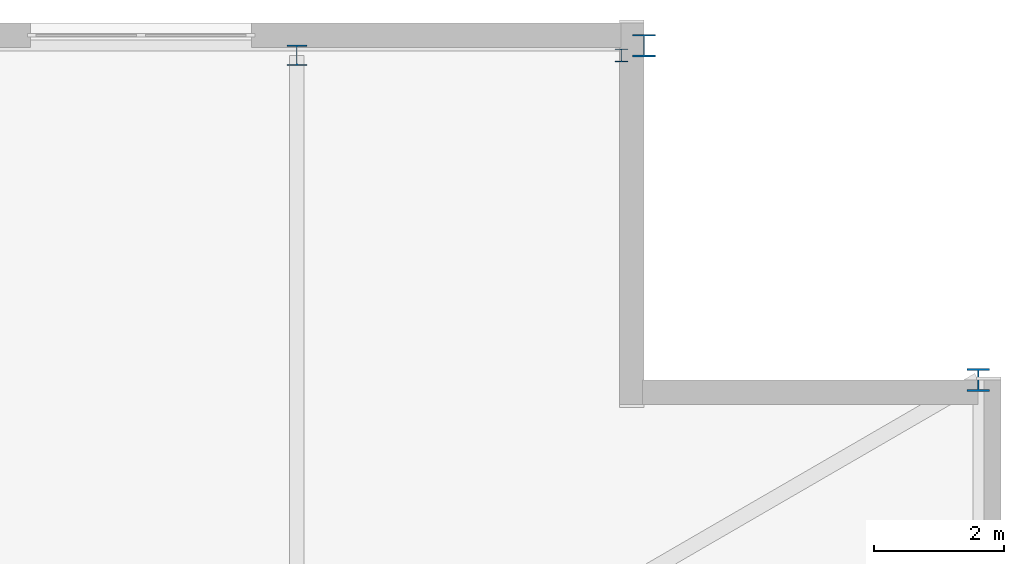
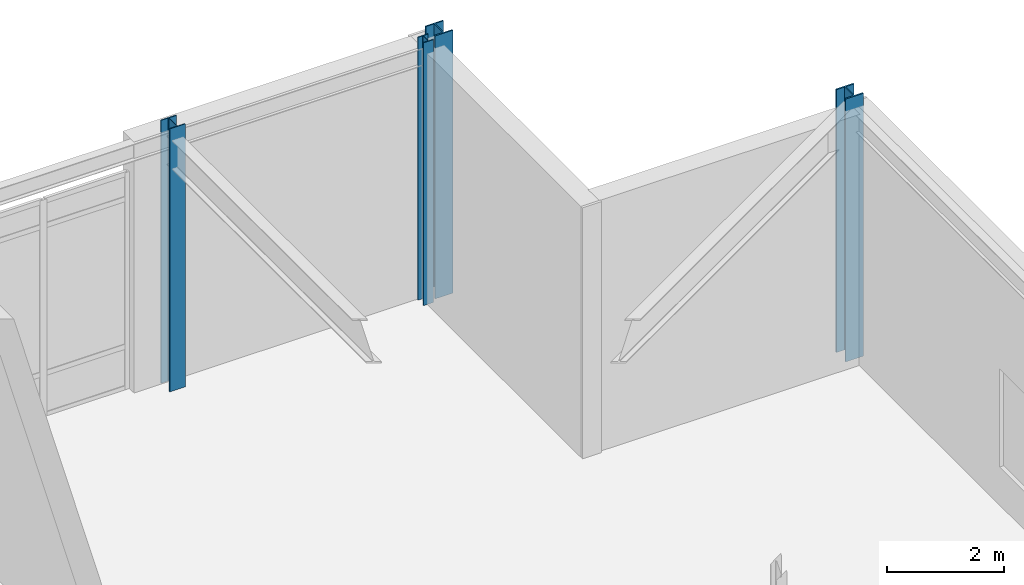
# One storey, part 6 of 16: 4 columns.
"""IFC4 building model written with IfcOpenShell, lengths in metres."""

import ifcopenshell
import ifcopenshell.guid

model = None  # the IFC model being written
_history = None  # IfcOwnerHistory: only IFC2X3 demands one
_inside = {}  # id of a spatial element -> (the spatial element, [elements in it])
_under = {}  # id of a project, library or spatial element -> (it, [spatial elements below it])
_declared = {}  # id of a project -> (the project, [libraries it declares])
_typed = {}  # id of a type object -> (the type object, [elements of that type])
_made_of = {}  # id of a material, layer set ... -> (it, [elements and type objects made of it])


def new_model(schema):
    """Start an empty IFC model of exactly this schema.

    Asked for "IFC4X3", IfcOpenShell would pick the latest addendum, in which some entities
    have other attributes; the version numbers below select the first issue.
    IFC2X3 requires an IfcOwnerHistory on every rooted entity: one is made here for all.
    """
    global model, _history
    if schema == "IFC4X3":
        model = ifcopenshell.file(schema_version=(4, 3, 0, 0))
    else:
        model = ifcopenshell.file(schema=schema)
    _inside.clear()
    _under.clear()
    _declared.clear()
    _typed.clear()
    _made_of.clear()
    _history = None
    if model.schema == "IFC2X3":
        org = make("IfcOrganization", Name="unknown")
        user = make(
            "IfcPersonAndOrganization",
            ThePerson=make("IfcPerson", FamilyName="unknown"),
            TheOrganization=org,
        )
        app = make(
            "IfcApplication",
            ApplicationDeveloper=org,
            Version="unknown",
            ApplicationFullName="unknown",
            ApplicationIdentifier="unknown",
        )
        _history = make(
            "IfcOwnerHistory",
            OwningUser=user,
            OwningApplication=app,
            ChangeAction="ADDED",
            CreationDate=0,
        )
    return model


def make(cls, **values):
    """One entity of the class cls with the attributes given. An attribute that is None is left unset."""
    return model.create_entity(
        cls, **{name: value for name, value in values.items() if value is not None}
    )


def rooted(cls, **values):
    """An entity with a GlobalId (a new one), such as an element, a storey or a relation."""
    return make(cls, GlobalId=ifcopenshell.guid.new(), OwnerHistory=_history, **values)


def si_unit(unit_type, name, prefix=None):
    """IfcSIUnit, for example si_unit("LENGTHUNIT", "METRE", prefix="MILLI")."""
    return make("IfcSIUnit", UnitType=unit_type, Prefix=prefix, Name=name)


def assignment(units):
    """IfcUnitAssignment: the units of a project."""
    return None if units is None else make("IfcUnitAssignment", Units=units)


def point(xyz):
    """IfcCartesianPoint."""
    return None if xyz is None else make("IfcCartesianPoint", Coordinates=xyz)


def direction(xyz):
    """IfcDirection."""
    return None if xyz is None else make("IfcDirection", DirectionRatios=xyz)


def frame(location, z_axis=None, x_axis=None):
    """IfcAxis2Placement3D, a coordinate frame: its origin and axes. An axis left out is left unset."""
    return make(
        "IfcAxis2Placement3D",
        Location=point(location),
        Axis=direction(z_axis),
        RefDirection=direction(x_axis),
    )


def frame_2d(location, x_axis=None):
    """IfcAxis2Placement2D, a coordinate frame in the plane: its origin and x axis."""
    return make(
        "IfcAxis2Placement2D", Location=point(location), RefDirection=direction(x_axis)
    )


def origin():
    """The frame at (0, 0, 0) with its axes left unset."""
    return frame((0.0, 0.0, 0.0))


def origin_2d():
    """The frame at (0, 0) in the plane with its x axis left unset."""
    return frame_2d((0.0, 0.0))


def place(relative_to, where):
    """IfcLocalPlacement: puts the frame where relative to a parent placement (None: the world)."""
    return make(
        "IfcLocalPlacement", PlacementRelTo=relative_to, RelativePlacement=where
    )


def context(
    kind, dimensions, precision=None, world=None, true_north=None, identifier=None
):
    """IfcGeometricRepresentationContext, for example the 3D "Model" context."""
    return make(
        "IfcGeometricRepresentationContext",
        ContextIdentifier=identifier,
        ContextType=kind,
        CoordinateSpaceDimension=dimensions,
        Precision=precision,
        WorldCoordinateSystem=world,
        TrueNorth=true_north,
    )


def subcontext(parent, identifier, kind, view, scale=None):
    """IfcGeometricRepresentationSubContext, for example "Body" below "Model"."""
    return make(
        "IfcGeometricRepresentationSubContext",
        ContextIdentifier=identifier,
        ContextType=kind,
        ParentContext=parent,
        TargetScale=scale,
        TargetView=view,
    )


def project(units=None, contexts=None):
    """IfcProject with its units and contexts."""
    return rooted(
        "IfcProject",
        Name="project",
        RepresentationContexts=contexts,
        UnitsInContext=assignment(units),
    )


def spatial(cls, under=None, at=None, **own):
    """A site, building, storey or space (cls), placed at a placement, below another one or the project."""
    s = rooted(cls, ObjectPlacement=at, **own)
    if under is not None:
        _under.setdefault(under.id(), (under, []))[1].append(s)
    return s


def profile(cls, at=None, kind="AREA", **sizes):
    """A parametric profile (cls). Its sizes go by their IFC names, for example OverallWidth=200.0."""
    return make(cls, ProfileType=kind, Position=at, **sizes)


def i_section(**sizes):
    """IfcIShapeProfileDef."""
    return profile("IfcIShapeProfileDef", **sizes)


def extrude(swept, where, along, depth):
    """IfcExtrudedAreaSolid: the profile swept, set in the frame where, extruded along a direction by depth."""
    return make(
        "IfcExtrudedAreaSolid",
        SweptArea=swept,
        Position=where,
        ExtrudedDirection=direction(along),
        Depth=depth,
    )


def shape(context_of_items, identifier, shape_type, items):
    """IfcShapeRepresentation: the items that make up one representation, for example the "Body"."""
    return make(
        "IfcShapeRepresentation",
        ContextOfItems=context_of_items,
        RepresentationIdentifier=identifier,
        RepresentationType=shape_type,
        Items=items,
    )


def material(Name=None, Category=None):
    """IfcMaterial."""
    return make("IfcMaterial", Name=Name, Category=Category)


def material_profile(
    of_material, cross_section, Name=None, Category=None, Priority=None
):
    """IfcMaterialProfile: a cross section and its material."""
    return make(
        "IfcMaterialProfile",
        Name=Name,
        Material=of_material,
        Profile=cross_section,
        Priority=Priority,
        Category=Category,
    )


def profile_set(profiles, Name=None, composite=None):
    """IfcMaterialProfileSet."""
    return make(
        "IfcMaterialProfileSet",
        Name=Name,
        MaterialProfiles=profiles,
        CompositeProfile=composite,
    )


def made_of(thing, what):
    """Note that an element or type object is made of a material, layer set ...; save() writes the relation."""
    if what is not None:
        _made_of.setdefault(what.id(), (what, []))[1].append(thing)
    return thing


def type_object(cls, material=None, **own):
    """A type object (cls), such as IfcWallType, which elements share."""
    return made_of(rooted(cls, **own), material)


def element(
    cls,
    number,
    at=None,
    inside=None,
    cuts=None,
    type_object=None,
    material=None,
    context=None,
    identifier="Body",
    shape_type=None,
    held_by="IfcProductDefinitionShape",
    body=None,
    shapes=None,
    **own,
):
    """One element of the class cls, such as IfcWall. Its Tag is "e" and its number.

    at: its placement. inside: the storey or other place that contains it. cuts: it is an
    opening in that element (IfcRelVoidsElement). A single representation is given by context,
    identifier, shape_type and body (its items); several are given by shapes. held_by: the class
    of the entity that holds the representations. save() writes the other relations.
    """
    e = rooted(cls, Tag="e%d" % number, ObjectPlacement=at, **own)
    if body is not None:
        shapes = [shape(context, identifier, shape_type, body)]
    if shapes is not None:
        e.Representation = make(held_by, Representations=shapes)
    if inside is not None:
        _inside.setdefault(inside.id(), (inside, []))[1].append(e)
    if cuts is not None:
        rooted(
            "IfcRelVoidsElement", RelatingBuildingElement=cuts, RelatedOpeningElement=e
        )
    if type_object is not None:
        _typed.setdefault(type_object.id(), (type_object, []))[1].append(e)
    return made_of(e, material)


def aggregate(whole, parts):
    """IfcRelAggregates: a whole, such as a stair, and the parts it consists of."""
    return rooted("IfcRelAggregates", RelatingObject=whole, RelatedObjects=parts)


def save(model, path):
    """Write the relations noted so far, then the file.

    IfcRelAggregates (storeys below a building ...), IfcRelContainedInSpatialStructure (elements
    in a storey), IfcRelDefinesByType, IfcRelAssociatesMaterial and IfcRelDeclares: one each for
    every whole, place, type object, material and project.
    """
    for whole, parts in _under.values():
        aggregate(whole, parts)
    for where, things in _inside.values():
        rooted(
            "IfcRelContainedInSpatialStructure",
            RelatedElements=things,
            RelatingStructure=where,
        )
    for kind, things in _typed.values():
        rooted("IfcRelDefinesByType", RelatedObjects=things, RelatingType=kind)
    for what, things in _made_of.values():
        rooted("IfcRelAssociatesMaterial", RelatedObjects=things, RelatingMaterial=what)
    for by, libraries in _declared.values():
        rooted("IfcRelDeclares", RelatingContext=by, RelatedDefinitions=libraries)
    model.write(path)


model = new_model("IFC4")

# Units and contexts
model_context = context("Model", 3, precision=1e-05, world=origin(), true_north=direction((0.0, 1.0)))
body_context = subcontext(model_context, "Body", "Model", "MODEL_VIEW")
ifc_project = project(units=[si_unit("LENGTHUNIT", "METRE"), si_unit("AREAUNIT", "SQUARE_METRE"), si_unit("VOLUMEUNIT", "CUBIC_METRE"), si_unit("PLANEANGLEUNIT", "RADIAN"), si_unit("MASSUNIT", "GRAM", prefix="KILO")], contexts=[model_context])

# Site, building, storey
site_placement = place(None, origin())
site = spatial("IfcSite", under=ifc_project, at=site_placement, CompositionType="ELEMENT")
building_placement = place(site_placement, origin())
building = spatial("IfcBuilding", under=site, at=building_placement, Name="Cairnveth Concourse Tower", CompositionType="ELEMENT")
storey_placement = place(building_placement, frame((0.0, 0.0, 324.5)))
storey = spatial("IfcBuildingStorey", under=building, at=storey_placement, Name="L89", CompositionType="ELEMENT", Elevation=324.5)

# Columns
ifc_material = material(Name="Steel Grade 350", Category="steel")
ifc_material_profile_1 = material_profile(ifc_material, i_section(OverallWidth=0.202880859375, OverallDepth=0.202880859375, WebThickness=0.00927734375, FlangeThickness=0.01416015625, FilletRadius=0.010009765625, at=origin_2d()), Name="200UC59.5")
ifc_profile_set_1 = profile_set([ifc_material_profile_1], Name="Steel Grade 350")
column_type_1 = type_object("IfcColumnType", Name="PILASTER STEEL COLUMN 200UC59.5", PredefinedType="PILASTER", material=ifc_profile_set_1)
column_1_placement = place(storey_placement, frame((67.14990234375, 59.5, 0.0), z_axis=(0.0, 0.0, 1.0), x_axis=(1.0, 0.0, 0.0)))
element("IfcColumn", 1, at=column_1_placement, inside=storey, type_object=column_type_1, Name="Column CRR-E4 L89", PredefinedType="PILASTER", context=body_context, shape_type="SweptSolid", body=[
    extrude(i_section(OverallWidth=0.202880859375, OverallDepth=0.202880859375, WebThickness=0.00927734375, FlangeThickness=0.01416015625, FilletRadius=0.010009765625, at=origin_2d()), origin(), (0.0, 0.0, 1.0), 5.5),
])
ifc_material_profile_2 = material_profile(ifc_material, i_section(OverallWidth=0.306884765625, OverallDepth=0.31494140625, WebThickness=0.011962890625, FlangeThickness=0.018798828125, FilletRadius=0.01611328125, at=origin_2d()), Name="310UC118")
ifc_profile_set_2 = profile_set([ifc_material_profile_2], Name="Steel Grade 350")
column_type_2 = type_object("IfcColumnType", Name="UNIVERSAL STEEL COLUMN 310UC118", PredefinedType="COLUMN", material=ifc_profile_set_2)
column_2_placement = place(storey_placement, frame((62.14990234375, 59.5, 0.0), z_axis=(0.0, 0.0, 1.0), x_axis=(1.0, 0.0, 0.0)))
element("IfcColumn", 2, at=column_2_placement, inside=storey, type_object=column_type_2, Name="Column CRM-E4 L89", PredefinedType="COLUMN", context=body_context, shape_type="SweptSolid", body=[
    extrude(i_section(OverallWidth=0.306884765625, OverallDepth=0.31494140625, WebThickness=0.011962890625, FlangeThickness=0.018798828125, FilletRadius=0.01611328125, at=origin_2d()), origin(), (0.0, 0.0, 1.0), 5.5),
])
ifc_material_profile_3 = material_profile(ifc_material, i_section(OverallWidth=0.35009765625, OverallDepth=0.35009765625, WebThickness=0.02001953125, FlangeThickness=0.028076171875, at=origin_2d()), Name="350WC197")
ifc_profile_set_3 = profile_set([ifc_material_profile_3], Name="Steel Grade 350")
column_type_3 = type_object("IfcColumnType", Name="WELDED STEEL COLUMN 350WC197", PredefinedType="COLUMN", material=ifc_profile_set_3)
for number, where, z_axis, x_axis, name in (
    (3, (72.64990234375, 54.5, 0.0), (0.0, 0.0, 1.0), (1.0, 0.0, 0.0), "Column CR-E4 L89"),
    (4, (67.5, 59.64990234375, 0.0), (0.0, 0.0, 1.0), (1.0, 0.0, 0.0), "Column CR-N1 L89"),
):
    element("IfcColumn", number, at=place(storey_placement, frame(where, z_axis=z_axis, x_axis=x_axis)), inside=storey, type_object=column_type_3, Name=name, PredefinedType="COLUMN", context=body_context, shape_type="SweptSolid", body=[
        extrude(i_section(OverallWidth=0.35009765625, OverallDepth=0.35009765625, WebThickness=0.02001953125, FlangeThickness=0.028076171875, at=origin_2d()), origin(), (0.0, 0.0, 1.0), 5.5),
    ])

save(model, "model.ifc")
